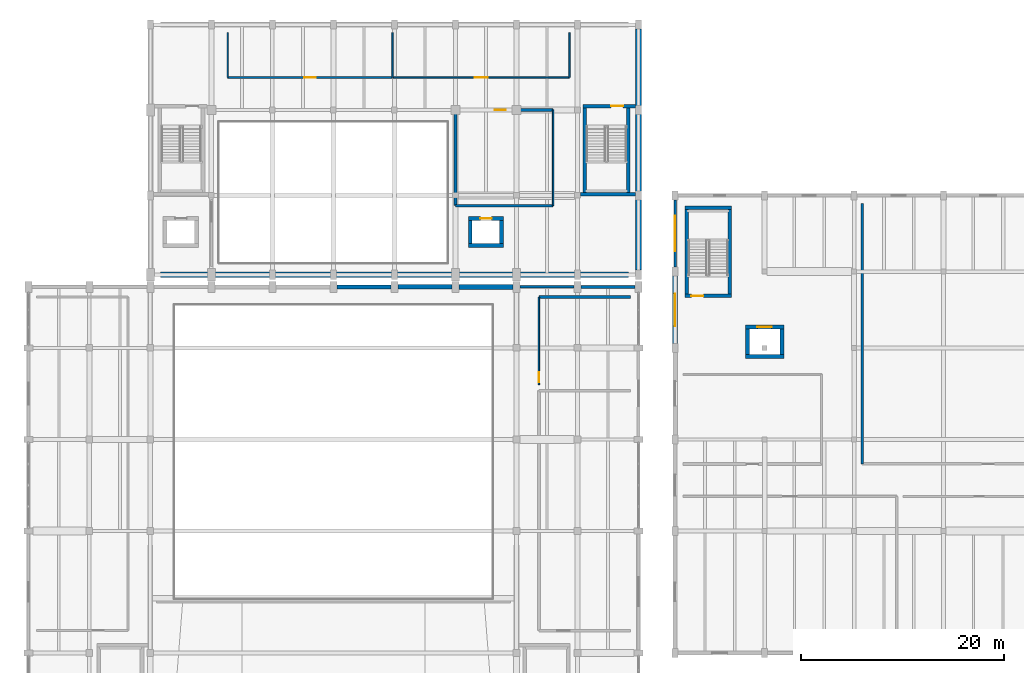
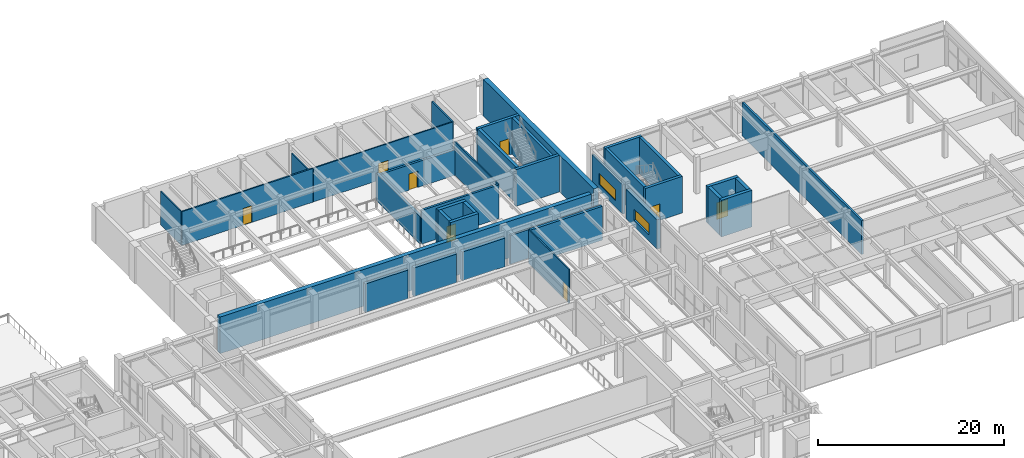
# One storey, part 61 of 80: 37 walls, 8 doors, 2 windows, 10 openings.
"""IFC4 building model written with IfcOpenShell, lengths in metres."""

from ifc_helpers import new_model, si_unit, direction, frame, frame_2d, origin, place, context, subcontext, project, spatial, rectangle, extrude, material, layer, layer_set, type_object, element, fill, save


model = new_model("IFC4")

# Units and contexts
model_context = context("Model", 3, precision=1e-05, world=origin(), true_north=direction((0.0, 1.0)))
body_context = subcontext(model_context, "Body", "Model", "MODEL_VIEW")
ifc_project = project(units=[si_unit("LENGTHUNIT", "METRE"), si_unit("AREAUNIT", "SQUARE_METRE"), si_unit("VOLUMEUNIT", "CUBIC_METRE"), si_unit("PLANEANGLEUNIT", "RADIAN"), si_unit("MASSUNIT", "GRAM", prefix="KILO")], contexts=[model_context])

# Site, building, storey
site_placement = place(None, origin())
site = spatial("IfcSite", under=ifc_project, at=site_placement, CompositionType="ELEMENT")
building_placement = place(site_placement, origin())
building = spatial("IfcBuilding", under=site, at=building_placement, Name="Vaelkrest Opera House", CompositionType="ELEMENT")
storey_placement = place(building_placement, frame((0.0, 0.0, 15.0)))
storey = spatial("IfcBuildingStorey", under=building, at=storey_placement, Name="L03", CompositionType="ELEMENT", Elevation=15.0)

# Wall
ifc_material_1 = material(Name="Douglas fir glulam GL28h", Category="wood")
ifc_layer_1 = layer(ifc_material_1, 0.2548828125)
ifc_layer_set_1 = layer_set([ifc_layer_1], Name="Douglas fir glulam GL28h")
wall_type_1 = type_object("IfcWallType", Name="EW01", PredefinedType="STANDARD", material=ifc_layer_set_1)
wall_1_placement = place(storey_placement, frame((18.347900390625, 16.199951171875, 0.0), z_axis=(0.0, 0.0, 1.0), x_axis=(1.0, 0.0, 0.0)))
element("IfcWall", 1, at=wall_1_placement, inside=storey, type_object=wall_type_1, Name="Exterior facade wall EW-V1-L03-0091", PredefinedType="STANDARD", context=body_context, shape_type="SweptSolid", body=[
    extrude(rectangle(XDim=5.30419921875, YDim=0.2548828125, at=frame_2d((2.652099609375, 0.0))), origin(), (0.0, 0.0, 1.0), 3.7451171875),
])

# Wall, opening, window
wall_2_placement = place(storey_placement, frame((33.60009765625, 18.14794921875, 0.0), z_axis=(0.0, 0.0, 1.0), x_axis=(0.0, 1.0, 0.0)))
wall_2 = element("IfcWall", 2, at=wall_2_placement, inside=storey, type_object=wall_type_1, Name="Exterior facade wall EW-V4-L03-0271", PredefinedType="STANDARD", context=body_context, shape_type="SweptSolid", body=[
    extrude(rectangle(XDim=6.60400390625, YDim=0.2548828125, at=frame_2d((3.302001953125, 0.0))), origin(), (0.0, 0.0, 1.0), 3.8291015625),
])
opening_1_placement = place(wall_2_placement, frame((1.552001953125, 0.0, 0.85009765625)))
opening_1 = element("IfcOpeningElement", 3, at=opening_1_placement, cuts=wall_2, Name="Opening WN156", PredefinedType="OPENING", context=body_context, shape_type="SweptSolid", body=[
    extrude(rectangle(XDim=3.5, YDim=1.449951171875, at=frame_2d((1.75, 0.72509765625))), frame((0.0, 0.137451171875, 0.0), z_axis=(0.0, -1.0, 0.0), x_axis=(1.0, 0.0, 0.0)), (0.0, 0.0, 1.0), 0.27490234375),
])
ifc_material_2 = material(Name="Double low-E insulated glazing", Category="glass")
window_type_1 = type_object("IfcWindowType", Name="WT26", PartitioningType="SINGLE_PANEL", PredefinedType="WINDOW", material=ifc_material_2)
window_1_placement = place(opening_1_placement, origin())
window_1 = element("IfcWindow", 4, at=window_1_placement, inside=storey, type_object=window_type_1, Name="Facade window WN156", OverallHeight=1.449951171875, OverallWidth=3.5, PartitioningType="SINGLE_PANEL", PredefinedType="WINDOW", context=body_context, shape_type="SweptSolid", body=[
    extrude(rectangle(XDim=3.5, YDim=1.449951171875, at=frame_2d((1.75, 0.72509765625))), frame((0.0, 0.030029296875, 0.0), z_axis=(0.0, -1.0, 0.0), x_axis=(1.0, 0.0, 0.0)), (0.0, 0.0, 1.0), 0.06005859375),
])
fill(opening_1, window_1)

# Walls
ifc_layer_2 = layer(ifc_material_1, 0.27490234375)
ifc_layer_set_2 = layer_set([ifc_layer_2], Name="Douglas fir glulam GL28h")
wall_type_2 = type_object("IfcWallType", Name="EW02", PredefinedType="STANDARD", material=ifc_layer_set_2)
wall_3_placement = place(storey_placement, frame((24.347900390625, 16.199951171875, 0.0), z_axis=(0.0, 0.0, 1.0), x_axis=(1.0, 0.0, 0.0)))
element("IfcWall", 5, at=wall_3_placement, inside=storey, type_object=wall_type_2, Name="Exterior facade wall EW-V1-L03-0092", PredefinedType="STANDARD", context=body_context, shape_type="SweptSolid", body=[
    extrude(rectangle(XDim=5.30419921875, YDim=0.27490234375, at=frame_2d((2.652099609375, 0.0))), origin(), (0.0, 0.0, 1.0), 3.7451171875),
])
ifc_material_3 = material(Name="Concrete C40/50", Category="concrete")
ifc_layer_3 = layer(ifc_material_3, 0.409912109375)
ifc_layer_set_3 = layer_set([ifc_layer_3], Name="Concrete C40/50")
wall_type_3 = type_object("IfcWallType", Name="EW08", PredefinedType="STANDARD", material=ifc_layer_set_3)
wall_4_placement = place(storey_placement, frame((0.347900390625, 16.199951171875, 0.0), z_axis=(0.0, 0.0, 1.0), x_axis=(1.0, 0.0, 0.0)))
element("IfcWall", 6, at=wall_4_placement, inside=storey, type_object=wall_type_3, Name="Exterior facade wall EW-V1-L03-0088", PredefinedType="STANDARD", context=body_context, shape_type="SweptSolid", body=[
    extrude(rectangle(XDim=5.30419921875, YDim=0.409912109375, at=frame_2d((2.652099609375, 0.0))), origin(), (0.0, 0.0, 1.0), 3.7451171875),
])
ifc_layer_4 = layer(ifc_material_3, 0.43505859375)
ifc_layer_set_4 = layer_set([ifc_layer_4], Name="Concrete C40/50")
wall_type_4 = type_object("IfcWallType", Name="EW09", PredefinedType="STANDARD", material=ifc_layer_set_4)
wall_5_placement = place(storey_placement, frame((6.347900390625, 16.199951171875, 0.0), z_axis=(0.0, 0.0, 1.0), x_axis=(1.0, 0.0, 0.0)))
element("IfcWall", 7, at=wall_5_placement, inside=storey, type_object=wall_type_4, Name="Exterior facade wall EW-V1-L03-0089", PredefinedType="STANDARD", context=body_context, shape_type="SweptSolid", body=[
    extrude(rectangle(XDim=5.30419921875, YDim=0.43505859375, at=frame_2d((2.652099609375, 0.0))), origin(), (0.0, 0.0, 1.0), 3.7451171875),
])
ifc_layer_5 = layer(ifc_material_3, 0.465087890625)
ifc_layer_set_5 = layer_set([ifc_layer_5], Name="Concrete C40/50")
wall_type_5 = type_object("IfcWallType", Name="EW10", PredefinedType="STANDARD", material=ifc_layer_set_5)
wall_6_placement = place(storey_placement, frame((12.347900390625, 16.199951171875, 0.0), z_axis=(0.0, 0.0, 1.0), x_axis=(1.0, 0.0, 0.0)))
element("IfcWall", 8, at=wall_6_placement, inside=storey, type_object=wall_type_5, Name="Exterior facade wall EW-V1-L03-0090", PredefinedType="STANDARD", context=body_context, shape_type="SweptSolid", body=[
    extrude(rectangle(XDim=5.30419921875, YDim=0.465087890625, at=frame_2d((2.652099609375, 0.0))), origin(), (0.0, 0.0, 1.0), 3.7451171875),
])

# Wall, opening, window
wall_7_placement = place(storey_placement, frame((33.60009765625, 10.64794921875, 0.0), z_axis=(0.0, 0.0, 1.0), x_axis=(0.0, 1.0, 0.0)))
wall_7 = element("IfcWall", 9, at=wall_7_placement, inside=storey, type_object=wall_type_5, Name="Exterior facade wall EW-V4-L03-0270", PredefinedType="STANDARD", context=body_context, shape_type="SweptSolid", body=[
    extrude(rectangle(XDim=6.60400390625, YDim=0.465087890625, at=frame_2d((3.302001953125, 0.0))), origin(), (0.0, 0.0, 1.0), 3.8291015625),
])
opening_2_placement = place(wall_7_placement, frame((1.701904296875, 0.0, 0.85009765625)))
opening_2 = element("IfcOpeningElement", 10, at=opening_2_placement, cuts=wall_7, Name="Opening WN155", PredefinedType="OPENING", context=body_context, shape_type="SweptSolid", body=[
    extrude(rectangle(XDim=3.199951171875, YDim=1.449951171875, at=frame_2d((1.60009765625, 0.72509765625))), frame((0.0, 0.242431640625, 0.0), z_axis=(0.0, -1.0, 0.0), x_axis=(1.0, 0.0, 0.0)), (0.0, 0.0, 1.0), 0.485107421875),
])
window_type_2 = type_object("IfcWindowType", Name="WT25", PartitioningType="SINGLE_PANEL", PredefinedType="WINDOW", material=ifc_material_2)
window_2_placement = place(opening_2_placement, origin())
window_2 = element("IfcWindow", 11, at=window_2_placement, inside=storey, type_object=window_type_2, Name="Facade window WN155", OverallHeight=1.449951171875, OverallWidth=3.199951171875, PartitioningType="SINGLE_PANEL", PredefinedType="WINDOW", context=body_context, shape_type="SweptSolid", body=[
    extrude(rectangle(XDim=3.199951171875, YDim=1.449951171875, at=frame_2d((1.60009765625, 0.72509765625))), frame((0.0, 0.030029296875, 0.0), z_axis=(0.0, -1.0, 0.0), x_axis=(1.0, 0.0, 0.0)), (0.0, 0.0, 1.0), 0.06005859375),
])
fill(opening_2, window_2)

# Walls
ifc_material_4 = material(Name="Gypsum acoustic board", Category="gypsum")
ifc_layer_6 = layer(ifc_material_4, 0.1201171875)
ifc_layer_set_6 = layer_set([ifc_layer_6], Name="Gypsum acoustic board")
wall_type_6 = type_object("IfcWallType", Name="PT01", PredefinedType="PARTITIONING", material=ifc_layer_set_6)
wall_8_placement = place(storey_placement, frame((-10.39990234375, 36.800048828125, 0.0), z_axis=(0.0, 0.0, 1.0), x_axis=(0.0, 1.0, 0.0)))
element("IfcWall", 12, at=wall_8_placement, inside=storey, type_object=wall_type_6, Name="Interior partition PT-V2-L03-0211", PredefinedType="PARTITIONING", context=body_context, shape_type="SweptSolid", body=[
    extrude(rectangle(XDim=4.39990234375, YDim=0.1201171875, at=frame_2d((2.199951171875, 0.0))), origin(), (0.0, 0.0, 1.0), 4.419921875),
])
ifc_layer_7 = layer(ifc_material_4, 0.135009765625)
ifc_layer_set_7 = layer_set([ifc_layer_7], Name="Gypsum acoustic board")
wall_type_7 = type_object("IfcWallType", Name="PT02", PredefinedType="PARTITIONING", material=ifc_layer_set_7)
wall_9_placement = place(storey_placement, frame((5.800048828125, 36.800048828125, 0.0), z_axis=(0.0, 0.0, 1.0), x_axis=(0.0, 1.0, 0.0)))
element("IfcWall", 13, at=wall_9_placement, inside=storey, type_object=wall_type_7, Name="Interior partition PT-V2-L03-0212", PredefinedType="PARTITIONING", context=body_context, shape_type="SweptSolid", body=[
    extrude(rectangle(XDim=4.39990234375, YDim=0.135009765625, at=frame_2d((2.199951171875, 0.0))), origin(), (0.0, 0.0, 1.0), 3.73388671875),
])

# Wall, opening, door
ifc_layer_8 = layer(ifc_material_4, 0.14990234375)
ifc_layer_set_8 = layer_set([ifc_layer_8], Name="Gypsum acoustic board")
wall_type_8 = type_object("IfcWallType", Name="PT03", PredefinedType="PARTITIONING", material=ifc_layer_set_8)
wall_10_placement = place(storey_placement, frame((5.8798828125, 36.800048828125, 0.0), z_axis=(0.0, 0.0, 1.0), x_axis=(1.0, 0.0, 0.0)))
wall_10 = element("IfcWall", 14, at=wall_10_placement, inside=storey, type_object=wall_type_8, Name="Interior partition PT-V2-L03-0213", PredefinedType="PARTITIONING", context=body_context, shape_type="SweptSolid", body=[
    extrude(rectangle(XDim=17.320068359375, YDim=0.14990234375, at=frame_2d((8.66015625, 0.0))), origin(), (0.0, 0.0, 1.0), 4.419921875),
])
opening_3_placement = place(wall_10_placement, frame((8.0400390625, 0.0, 0.0)))
opening_3 = element("IfcOpeningElement", 15, at=opening_3_placement, cuts=wall_10, Name="Opening D082", PredefinedType="OPENING", context=body_context, shape_type="SweptSolid", body=[
    extrude(rectangle(XDim=1.239990234375, YDim=2.199951171875, at=frame_2d((0.6201171875, 1.10009765625))), frame((0.0, 0.0849609375, 0.0), z_axis=(0.0, -1.0, 0.0), x_axis=(1.0, 0.0, 0.0)), (0.0, 0.0, 1.0), 0.169921875),
])
ifc_material_5 = material(Name="American black walnut acoustic timber", Category="wood")
door_type_1 = type_object("IfcDoorType", Name="DT08", OperationType="NOTDEFINED", PredefinedType="DOOR", material=ifc_material_5)
door_1_placement = place(opening_3_placement, origin())
door_1 = element("IfcDoor", 16, at=door_1_placement, inside=storey, type_object=door_type_1, Name="Interior door D082 (Lighting Control Booth)", OperationType="SINGLE_SWING_LEFT", OverallHeight=2.199951171875, OverallWidth=1.239990234375, PredefinedType="DOOR", context=body_context, shape_type="SweptSolid", body=[
    extrude(rectangle(XDim=1.239990234375, YDim=2.199951171875, at=frame_2d((0.6201171875, 1.10009765625))), frame((0.0, 0.02490234375, 0.0), z_axis=(0.0, -1.0, 0.0), x_axis=(1.0, 0.0, 0.0)), (0.0, 0.0, 1.0), 0.050048828125),
])
fill(opening_3, door_1)

# Walls
ifc_layer_9 = layer(ifc_material_4, 0.1650390625)
ifc_layer_set_9 = layer_set([ifc_layer_9], Name="Gypsum acoustic board")
wall_type_9 = type_object("IfcWallType", Name="PT04", PredefinedType="PARTITIONING", material=ifc_layer_set_9)
wall_11_placement = place(storey_placement, frame((23.199951171875, 36.800048828125, 0.0), z_axis=(0.0, 0.0, 1.0), x_axis=(0.0, 1.0, 0.0)))
element("IfcWall", 17, at=wall_11_placement, inside=storey, type_object=wall_type_9, Name="Interior partition PT-V2-L03-0214", PredefinedType="PARTITIONING", context=body_context, shape_type="SweptSolid", body=[
    extrude(rectangle(XDim=4.39990234375, YDim=0.1650390625, at=frame_2d((2.199951171875, 0.0))), origin(), (0.0, 0.0, 1.0), 4.419921875),
])
ifc_layer_10 = layer(ifc_material_3, 0.239990234375)
ifc_layer_set_10 = layer_set([ifc_layer_10], Name="Concrete C40/50")
wall_type_10 = type_object("IfcWallType", Name="PT09", PredefinedType="PARTITIONING", material=ifc_layer_set_10)
wall_12_placement = place(storey_placement, frame((52.0, -1.199951171875, 0.0), z_axis=(0.0, 0.0, 1.0), x_axis=(0.0, 1.0, 0.0)))
element("IfcWall", 18, at=wall_12_placement, inside=storey, type_object=wall_type_10, Name="Interior partition PT-V4-L03-0389", PredefinedType="PARTITIONING", context=body_context, shape_type="SweptSolid", body=[
    extrude(rectangle(XDim=25.599853515625, YDim=0.239990234375, at=frame_2d((12.7998046875, 0.0))), origin(), (0.0, 0.0, 1.0), 4.419921875),
])
ifc_layer_11 = layer(ifc_material_3, 0.260009765625)
ifc_layer_set_11 = layer_set([ifc_layer_11], Name="Concrete C40/50")
wall_type_11 = type_object("IfcWallType", Name="PT10", PredefinedType="PARTITIONING", material=ifc_layer_set_11)
wall_13_placement = place(storey_placement, frame((12.0, 24.199951171875, 0.0), z_axis=(0.0, 0.0, 1.0), x_axis=(1.0, 0.0, 0.0)))
element("IfcWall", 19, at=wall_13_placement, inside=storey, type_object=wall_type_11, Name="Interior partition PT-V2-L03-0206", PredefinedType="PARTITIONING", context=body_context, shape_type="SweptSolid", body=[
    extrude(rectangle(XDim=9.60009765625, YDim=0.260009765625, at=frame_2d((4.800048828125, 0.0))), origin(), (0.0, 0.0, 1.0), 4.419921875),
])

# Wall, opening, door
ifc_layer_12 = layer(ifc_material_3, 0.280029296875)
ifc_layer_set_12 = layer_set([ifc_layer_12], Name="Concrete C40/50")
wall_type_12 = type_object("IfcWallType", Name="PT11", PredefinedType="PARTITIONING", material=ifc_layer_set_12)
wall_14_placement = place(storey_placement, frame((12.0, 33.60009765625, 0.0), z_axis=(0.0, 0.0, 1.0), x_axis=(1.0, 0.0, 0.0)))
wall_14 = element("IfcWall", 20, at=wall_14_placement, inside=storey, type_object=wall_type_12, Name="Interior partition PT-V2-L03-0207", PredefinedType="PARTITIONING", context=body_context, shape_type="SweptSolid", body=[
    extrude(rectangle(XDim=9.60009765625, YDim=0.280029296875, at=frame_2d((4.800048828125, 0.0))), origin(), (0.0, 0.0, 1.0), 3.340087890625),
])
opening_4_placement = place(wall_14_placement, frame((3.8701171875, 0.0, 0.0)))
opening_4 = element("IfcOpeningElement", 21, at=opening_4_placement, cuts=wall_14, Name="Opening D080", PredefinedType="OPENING", context=body_context, shape_type="SweptSolid", body=[
    extrude(rectangle(XDim=1.06005859375, YDim=2.14990234375, at=frame_2d((0.530029296875, 1.074951171875))), frame((0.0, 0.14990234375, 0.0), z_axis=(0.0, -1.0, 0.0), x_axis=(1.0, 0.0, 0.0)), (0.0, 0.0, 1.0), 0.300048828125),
])
door_type_2 = type_object("IfcDoorType", Name="DT05", OperationType="NOTDEFINED", PredefinedType="DOOR", material=ifc_material_5)
door_2_placement = place(opening_4_placement, origin())
door_2 = element("IfcDoor", 22, at=door_2_placement, inside=storey, type_object=door_type_2, Name="Interior door D080 (Lighting Bridge)", OperationType="SINGLE_SWING_LEFT", OverallHeight=2.14990234375, OverallWidth=1.06005859375, PredefinedType="DOOR", context=body_context, shape_type="SweptSolid", body=[
    extrude(rectangle(XDim=1.06005859375, YDim=2.14990234375, at=frame_2d((0.530029296875, 1.074951171875))), frame((0.0, 0.02490234375, 0.0), z_axis=(0.0, -1.0, 0.0), x_axis=(1.0, 0.0, 0.0)), (0.0, 0.0, 1.0), 0.050048828125),
])
fill(opening_4, door_2)

# Walls
ifc_layer_13 = layer(ifc_material_3, 0.304931640625)
ifc_layer_set_13 = layer_set([ifc_layer_13], Name="Concrete C40/50")
wall_type_13 = type_object("IfcWallType", Name="PT12", PredefinedType="PARTITIONING", material=ifc_layer_set_13)
wall_15_placement = place(storey_placement, frame((20.199951171875, 15.199951171875, 0.0), z_axis=(0.0, 0.0, 1.0), x_axis=(1.0, 0.0, 0.0)))
element("IfcWall", 23, at=wall_15_placement, inside=storey, type_object=wall_type_13, Name="Interior partition PT-V1-L03-0096", PredefinedType="PARTITIONING", context=body_context, shape_type="SweptSolid", body=[
    extrude(rectangle(XDim=9.0, YDim=0.304931640625, at=frame_2d((4.5, 0.0))), origin(), (0.0, 0.0, 1.0), 4.419921875),
])
wall_16_placement = place(storey_placement, frame((12.0, 24.199951171875, 0.0), z_axis=(0.0, 0.0, 1.0), x_axis=(0.0, 1.0, 0.0)))
element("IfcWall", 24, at=wall_16_placement, inside=storey, type_object=wall_type_13, Name="Interior partition PT-V2-L03-0208", PredefinedType="PARTITIONING", context=body_context, shape_type="SweptSolid", body=[
    extrude(rectangle(XDim=9.400146484375, YDim=0.304931640625, at=frame_2d((4.7001953125, 0.0))), origin(), (0.0, 0.0, 1.0), 3.590087890625),
])

# Wall, opening, door
ifc_layer_14 = layer(ifc_material_4, 0.14501953125)
ifc_layer_set_14 = layer_set([ifc_layer_14], Name="Gypsum acoustic board")
wall_type_14 = type_object("IfcWallType", Name="PT13", PredefinedType="PARTITIONING", material=ifc_layer_set_14)
wall_17_placement = place(storey_placement, frame((20.199951171875, 6.60009765625, 0.0), z_axis=(0.0, 0.0, 1.0), x_axis=(0.0, 1.0, 0.0)))
wall_17 = element("IfcWall", 25, at=wall_17_placement, inside=storey, type_object=wall_type_14, Name="Interior partition PT-V1-L03-0097", PredefinedType="PARTITIONING", context=body_context, shape_type="SweptSolid", body=[
    extrude(rectangle(XDim=8.599853515625, YDim=0.14501953125, at=frame_2d((4.2998046875, 0.0))), origin(), (0.0, 0.0, 1.0), 4.419921875),
])
opening_5_placement = place(wall_17_placement, frame((0.25, 0.0, 0.0)))
opening_5 = element("IfcOpeningElement", 26, at=opening_5_placement, cuts=wall_17, Name="Opening D038", PredefinedType="OPENING", context=body_context, shape_type="SweptSolid", body=[
    extrude(rectangle(XDim=0.93994140625, YDim=2.10009765625, at=frame_2d((0.469970703125, 1.050048828125))), frame((0.0, 0.08251953125, 0.0), z_axis=(0.0, -1.0, 0.0), x_axis=(1.0, 0.0, 0.0)), (0.0, 0.0, 1.0), 0.1650390625),
])
door_type_3 = type_object("IfcDoorType", Name="DT02", OperationType="NOTDEFINED", PredefinedType="DOOR", material=ifc_material_5)
door_3_placement = place(opening_5_placement, origin())
door_3 = element("IfcDoor", 27, at=door_3_placement, inside=storey, type_object=door_type_3, Name="Interior door D038 (Accessible Washroom)", OperationType="SINGLE_SWING_LEFT", OverallHeight=2.10009765625, OverallWidth=0.93994140625, PredefinedType="DOOR", context=body_context, shape_type="SweptSolid", body=[
    extrude(rectangle(XDim=0.93994140625, YDim=2.10009765625, at=frame_2d((0.469970703125, 1.050048828125))), frame((0.0, 0.02490234375, 0.0), z_axis=(0.0, -1.0, 0.0), x_axis=(1.0, 0.0, 0.0)), (0.0, 0.0, 1.0), 0.050048828125),
])
fill(opening_5, door_3)

# Wall
wall_18_placement = place(storey_placement, frame((21.60009765625, 24.199951171875, 0.0), z_axis=(0.0, 0.0, 1.0), x_axis=(0.0, 1.0, 0.0)))
element("IfcWall", 28, at=wall_18_placement, inside=storey, type_object=wall_type_14, Name="Interior partition PT-V2-L03-0209", PredefinedType="PARTITIONING", context=body_context, shape_type="SweptSolid", body=[
    extrude(rectangle(XDim=9.400146484375, YDim=0.14501953125, at=frame_2d((4.7001953125, 0.0))), origin(), (0.0, 0.0, 1.0), 4.419921875),
])

# Wall, opening, door
ifc_layer_15 = layer(ifc_material_5, 0.175048828125)
ifc_layer_set_15 = layer_set([ifc_layer_15], Name="American black walnut acoustic timber")
wall_type_15 = type_object("IfcWallType", Name="PT14", PredefinedType="PARTITIONING", material=ifc_layer_set_15)
wall_19_placement = place(storey_placement, frame((-10.39990234375, 36.800048828125, 0.0), z_axis=(0.0, 0.0, 1.0), x_axis=(1.0, 0.0, 0.0)))
wall_19 = element("IfcWall", 29, at=wall_19_placement, inside=storey, type_object=wall_type_15, Name="Interior partition PT-V2-L03-0210", PredefinedType="PARTITIONING", context=body_context, shape_type="SweptSolid", body=[
    extrude(rectangle(XDim=16.199951171875, YDim=0.175048828125, at=frame_2d((8.10009765625, 0.0))), origin(), (0.0, 0.0, 1.0), 4.419921875),
])
opening_6_placement = place(wall_19_placement, frame((7.550048828125, 0.0, 0.0)))
opening_6 = element("IfcOpeningElement", 30, at=opening_6_placement, cuts=wall_19, Name="Opening D081", PredefinedType="OPENING", context=body_context, shape_type="SweptSolid", body=[
    extrude(rectangle(XDim=1.10009765625, YDim=2.199951171875, at=frame_2d((0.550048828125, 1.10009765625))), frame((0.0, 0.097412109375, 0.0), z_axis=(0.0, -1.0, 0.0), x_axis=(1.0, 0.0, 0.0)), (0.0, 0.0, 1.0), 0.195068359375),
])
door_type_4 = type_object("IfcDoorType", Name="DT06", OperationType="NOTDEFINED", PredefinedType="DOOR", material=ifc_material_5)
door_4_placement = place(opening_6_placement, origin())
door_4 = element("IfcDoor", 31, at=door_4_placement, inside=storey, type_object=door_type_4, Name="Interior door D081 (Rigging Control Room)", OperationType="SINGLE_SWING_RIGHT", OverallHeight=2.199951171875, OverallWidth=1.10009765625, PredefinedType="DOOR", context=body_context, shape_type="SweptSolid", body=[
    extrude(rectangle(XDim=1.10009765625, YDim=2.199951171875, at=frame_2d((0.550048828125, 1.10009765625))), frame((0.0, 0.02490234375, 0.0), z_axis=(0.0, -1.0, 0.0), x_axis=(1.0, 0.0, 0.0)), (0.0, 0.0, 1.0), 0.050048828125),
])
fill(opening_6, door_4)

# Walls
ifc_material_6 = material(Name="Concrete C50/60", Category="concrete")
ifc_layer_16 = layer(ifc_material_6, 0.35009765625)
ifc_layer_set_16 = layer_set([ifc_layer_16], Name="Concrete C50/60")
wall_type_16 = type_object("IfcWallType", Name="SW01", PredefinedType="SHEAR", material=ifc_layer_set_16)
wall_20_placement = place(storey_placement, frame((29.699951171875, 25.324951171875, 0.0), z_axis=(0.0, 0.0, 1.0), x_axis=(-1.0, 0.0, 0.0)))
element("IfcWall", 32, at=wall_20_placement, inside=storey, type_object=wall_type_16, Name="Stair core ST06 wall L03 S", PredefinedType="SHEAR", context=body_context, shape_type="SweptSolid", body=[
    extrude(rectangle(XDim=5.425048828125, YDim=0.35009765625, at=frame_2d((2.71240234375, 0.0))), origin(), (0.0, 0.0, 1.0), 4.800048828125),
])
wall_21_placement = place(storey_placement, frame((24.72509765625, 25.5, 0.0), z_axis=(0.0, 0.0, 1.0), x_axis=(0.0, 1.0, 0.0)))
element("IfcWall", 33, at=wall_21_placement, inside=storey, type_object=wall_type_16, Name="Stair core ST06 wall L03 W", PredefinedType="SHEAR", context=body_context, shape_type="SweptSolid", body=[
    extrude(rectangle(XDim=8.300048828125, YDim=0.35009765625, at=frame_2d((4.14990234375, 0.0))), origin(), (0.0, 0.0, 1.0), 4.800048828125),
])

# Wall, opening, door
wall_22_placement = place(storey_placement, frame((24.550048828125, 33.97509765625, 0.0), z_axis=(0.0, 0.0, 1.0), x_axis=(1.0, 0.0, 0.0)))
wall_22 = element("IfcWall", 34, at=wall_22_placement, inside=storey, type_object=wall_type_16, Name="Stair core ST06 wall L03 N", PredefinedType="SHEAR", context=body_context, shape_type="SweptSolid", body=[
    extrude(rectangle(XDim=5.14990234375, YDim=0.35009765625, at=frame_2d((2.574951171875, 0.0))), origin(), (0.0, 0.0, 1.0), 4.800048828125),
])
opening_7_placement = place(wall_22_placement, frame((2.77001953125, 0.0, 0.0)))
opening_7 = element("IfcOpeningElement", 35, at=opening_7_placement, cuts=wall_22, Name="Opening SD-ST06-L03", PredefinedType="OPENING", context=body_context, shape_type="SweptSolid", body=[
    extrude(rectangle(XDim=1.179931640625, YDim=2.14990234375, at=frame_2d((0.58984375, 1.074951171875))), frame((0.0, 0.18505859375, 0.0), z_axis=(0.0, -1.0, 0.0), x_axis=(1.0, 0.0, 0.0)), (0.0, 0.0, 1.0), 0.3701171875),
])
door_type_5 = type_object("IfcDoorType", Name="DT07", OperationType="NOTDEFINED", PredefinedType="DOOR", material=ifc_material_5)
door_5_placement = place(opening_7_placement, origin())
door_5 = element("IfcDoor", 36, at=door_5_placement, inside=storey, type_object=door_type_5, Name="Protected stair door SD-ST06-L03", OperationType="SINGLE_SWING_LEFT", OverallHeight=2.14990234375, OverallWidth=1.179931640625, PredefinedType="DOOR", context=body_context, shape_type="SweptSolid", body=[
    extrude(rectangle(XDim=1.179931640625, YDim=2.14990234375, at=frame_2d((0.58984375, 1.074951171875))), frame((0.0, 0.02490234375, 0.0), z_axis=(0.0, -1.0, 0.0), x_axis=(1.0, 0.0, 0.0)), (0.0, 0.0, 1.0), 0.050048828125),
])
fill(opening_7, door_5)

# Wall
wall_23_placement = place(storey_placement, frame((28.97509765625, 33.800048828125, 0.0), z_axis=(0.0, 0.0, 1.0), x_axis=(0.0, -1.0, 0.0)))
element("IfcWall", 37, at=wall_23_placement, inside=storey, type_object=wall_type_16, Name="Stair core ST06 wall L03 E", PredefinedType="SHEAR", context=body_context, shape_type="SweptSolid", body=[
    extrude(rectangle(XDim=8.300048828125, YDim=0.35009765625, at=frame_2d((4.14990234375, 0.0))), origin(), (0.0, 0.0, 1.0), 4.800048828125),
])

# Wall, opening, door
wall_24_placement = place(storey_placement, frame((39.14990234375, 15.324951171875, 0.0), z_axis=(0.0, 0.0, 1.0), x_axis=(-1.0, 0.0, 0.0)))
wall_24 = element("IfcWall", 38, at=wall_24_placement, inside=storey, type_object=wall_type_16, Name="Stair core ST09 wall L03 S", PredefinedType="SHEAR", context=body_context, shape_type="SweptSolid", body=[
    extrude(rectangle(XDim=4.599853515625, YDim=0.35009765625, at=frame_2d((2.2998046875, 0.0))), origin(), (0.0, 0.0, 1.0), 4.800048828125),
])
opening_8_placement = place(wall_24_placement, frame((2.77001953125, 0.0, 0.0)))
opening_8 = element("IfcOpeningElement", 39, at=opening_8_placement, cuts=wall_24, Name="Opening SD-ST09-L03", PredefinedType="OPENING", context=body_context, shape_type="SweptSolid", body=[
    extrude(rectangle(XDim=1.179931640625, YDim=2.14990234375, at=frame_2d((0.58984375, 1.074951171875))), frame((0.0, 0.18505859375, 0.0), z_axis=(0.0, -1.0, 0.0), x_axis=(1.0, 0.0, 0.0)), (0.0, 0.0, 1.0), 0.3701171875),
])
door_6_placement = place(opening_8_placement, origin())
door_6 = element("IfcDoor", 40, at=door_6_placement, inside=storey, type_object=door_type_5, Name="Protected stair door SD-ST09-L03", OperationType="SINGLE_SWING_RIGHT", OverallHeight=2.14990234375, OverallWidth=1.179931640625, PredefinedType="DOOR", context=body_context, shape_type="SweptSolid", body=[
    extrude(rectangle(XDim=1.179931640625, YDim=2.14990234375, at=frame_2d((0.58984375, 1.074951171875))), frame((0.0, 0.02490234375, 0.0), z_axis=(0.0, -1.0, 0.0), x_axis=(1.0, 0.0, 0.0)), (0.0, 0.0, 1.0), 0.050048828125),
])
fill(opening_8, door_6)

# Walls
wall_25_placement = place(storey_placement, frame((34.72509765625, 15.5, 0.0), z_axis=(0.0, 0.0, 1.0), x_axis=(0.0, 1.0, 0.0)))
element("IfcWall", 41, at=wall_25_placement, inside=storey, type_object=wall_type_16, Name="Stair core ST09 wall L03 W", PredefinedType="SHEAR", context=body_context, shape_type="SweptSolid", body=[
    extrude(rectangle(XDim=8.300048828125, YDim=0.35009765625, at=frame_2d((4.14990234375, 0.0))), origin(), (0.0, 0.0, 1.0), 4.800048828125),
])
wall_26_placement = place(storey_placement, frame((34.550048828125, 23.97509765625, 0.0), z_axis=(0.0, 0.0, 1.0), x_axis=(1.0, 0.0, 0.0)))
element("IfcWall", 42, at=wall_26_placement, inside=storey, type_object=wall_type_16, Name="Stair core ST09 wall L03 N", PredefinedType="SHEAR", context=body_context, shape_type="SweptSolid", body=[
    extrude(rectangle(XDim=4.599853515625, YDim=0.35009765625, at=frame_2d((2.2998046875, 0.0))), origin(), (0.0, 0.0, 1.0), 4.800048828125),
])
wall_27_placement = place(storey_placement, frame((38.97509765625, 23.800048828125, 0.0), z_axis=(0.0, 0.0, 1.0), x_axis=(0.0, -1.0, 0.0)))
element("IfcWall", 43, at=wall_27_placement, inside=storey, type_object=wall_type_16, Name="Stair core ST09 wall L03 E", PredefinedType="SHEAR", context=body_context, shape_type="SweptSolid", body=[
    extrude(rectangle(XDim=8.300048828125, YDim=0.35009765625, at=frame_2d((4.14990234375, 0.0))), origin(), (0.0, 0.0, 1.0), 4.800048828125),
])
ifc_layer_17 = layer(ifc_material_6, 0.389892578125)
ifc_layer_set_17 = layer_set([ifc_layer_17], Name="Concrete C50/60")
wall_type_17 = type_object("IfcWallType", Name="SW02", PredefinedType="SHEAR", material=ifc_layer_set_17)
wall_28_placement = place(storey_placement, frame((16.739990234375, 20.2548828125, 0.0), z_axis=(0.0, 0.0, 1.0), x_axis=(-1.0, 0.0, 0.0)))
element("IfcWall", 44, at=wall_28_placement, inside=storey, type_object=wall_type_17, Name="Lift shaft LF02 wall L03 S", PredefinedType="SHEAR", context=body_context, shape_type="SweptSolid", body=[
    extrude(rectangle(XDim=3.47998046875, YDim=0.389892578125, at=frame_2d((1.739990234375, 0.0))), origin(), (0.0, 0.0, 1.0), 4.800048828125),
])

# Wall, opening, door
wall_29_placement = place(storey_placement, frame((13.260009765625, 22.945068359375, 0.0), z_axis=(0.0, 0.0, 1.0), x_axis=(1.0, 0.0, 0.0)))
wall_29 = element("IfcWall", 45, at=wall_29_placement, inside=storey, type_object=wall_type_17, Name="Lift shaft LF02 wall L03 N", PredefinedType="SHEAR", context=body_context, shape_type="SweptSolid", body=[
    extrude(rectangle(XDim=3.47998046875, YDim=0.389892578125, at=frame_2d((1.739990234375, 0.0))), origin(), (0.0, 0.0, 1.0), 4.800048828125),
])
opening_9_placement = place(wall_29_placement, frame((1.18994140625, 0.0, 0.0)))
opening_9 = element("IfcOpeningElement", 46, at=opening_9_placement, cuts=wall_29, Name="Opening LD-LF02-L03", PredefinedType="OPENING", context=body_context, shape_type="SweptSolid", body=[
    extrude(rectangle(XDim=1.10009765625, YDim=2.14990234375, at=frame_2d((0.550048828125, 1.074951171875))), frame((0.0, 0.204833984375, 0.0), z_axis=(0.0, -1.0, 0.0), x_axis=(1.0, 0.0, 0.0)), (0.0, 0.0, 1.0), 0.409912109375),
])
ifc_material_7 = material(Name="Dark bronze anodized aluminium", Category="aluminium")
door_type_6 = type_object("IfcDoorType", Name="LDT01", OperationType="SLIDING_TO_LEFT", PredefinedType="DOOR", material=ifc_material_7)
door_7_placement = place(opening_9_placement, origin())
door_7 = element("IfcDoor", 47, at=door_7_placement, inside=storey, type_object=door_type_6, Name="Lift landing sliding door LD-LF02-L03", OperationType="SLIDING_TO_LEFT", OverallHeight=2.14990234375, OverallWidth=1.10009765625, PredefinedType="DOOR", context=body_context, shape_type="SweptSolid", body=[
    extrude(rectangle(XDim=1.10009765625, YDim=2.14990234375, at=frame_2d((0.550048828125, 1.074951171875))), frame((0.0, 0.02490234375, 0.0), z_axis=(0.0, -1.0, 0.0), x_axis=(1.0, 0.0, 0.0)), (0.0, 0.0, 1.0), 0.050048828125),
])
fill(opening_9, door_7)

# Walls
for number, where, z_axis, x_axis, name in (
    (48, (13.455078125, 20.449951171875, 0.0), (0.0, 0.0, 1.0), (0.0, 1.0, 0.0), "Lift shaft LF02 wall L03 W"),
    (49, (16.544921875, 22.75, 0.0), (0.0, 0.0, 1.0), (0.0, -1.0, 0.0), "Lift shaft LF02 wall L03 E"),
):
    element("IfcWall", number, at=place(storey_placement, frame(where, z_axis=z_axis, x_axis=x_axis)), inside=storey, type_object=wall_type_17, Name=name, PredefinedType="SHEAR", context=body_context, shape_type="SweptSolid", body=[
        extrude(rectangle(XDim=2.300048828125, YDim=0.389892578125, at=frame_2d((1.14990234375, 0.0))), origin(), (0.0, 0.0, 1.0), 4.800048828125),
    ])
wall_30_placement = place(storey_placement, frame((44.2900390625, 9.35498046875, 0.0), z_axis=(0.0, 0.0, 1.0), x_axis=(-1.0, 0.0, 0.0)))
element("IfcWall", 50, at=wall_30_placement, inside=storey, type_object=wall_type_17, Name="Lift shaft LP06 wall L03 S", PredefinedType="SHEAR", context=body_context, shape_type="SweptSolid", body=[
    extrude(rectangle(XDim=3.780029296875, YDim=0.389892578125, at=frame_2d((1.89013671875, 0.0))), origin(), (0.0, 0.0, 1.0), 4.800048828125),
])

# Wall, opening, door
wall_31_placement = place(storey_placement, frame((40.510009765625, 12.2451171875, 0.0), z_axis=(0.0, 0.0, 1.0), x_axis=(1.0, 0.0, 0.0)))
wall_31 = element("IfcWall", 51, at=wall_31_placement, inside=storey, type_object=wall_type_17, Name="Lift shaft LP06 wall L03 N", PredefinedType="SHEAR", context=body_context, shape_type="SweptSolid", body=[
    extrude(rectangle(XDim=3.780029296875, YDim=0.389892578125, at=frame_2d((1.89013671875, 0.0))), origin(), (0.0, 0.0, 1.0), 4.800048828125),
])
opening_10_placement = place(wall_31_placement, frame((1.18994140625, 0.0, 0.0)))
opening_10 = element("IfcOpeningElement", 52, at=opening_10_placement, cuts=wall_31, Name="Opening LD-LP06-L03", PredefinedType="OPENING", context=body_context, shape_type="SweptSolid", body=[
    extrude(rectangle(XDim=1.39990234375, YDim=2.199951171875, at=frame_2d((0.699951171875, 1.10009765625))), frame((0.0, 0.204833984375, 0.0), z_axis=(0.0, -1.0, 0.0), x_axis=(1.0, 0.0, 0.0)), (0.0, 0.0, 1.0), 0.409912109375),
])
door_type_7 = type_object("IfcDoorType", Name="LDT02", OperationType="SLIDING_TO_LEFT", PredefinedType="DOOR", material=ifc_material_7)
door_8_placement = place(opening_10_placement, origin())
door_8 = element("IfcDoor", 53, at=door_8_placement, inside=storey, type_object=door_type_7, Name="Lift landing sliding door LD-LP06-L03", OperationType="SLIDING_TO_LEFT", OverallHeight=2.199951171875, OverallWidth=1.39990234375, PredefinedType="DOOR", context=body_context, shape_type="SweptSolid", body=[
    extrude(rectangle(XDim=1.39990234375, YDim=2.199951171875, at=frame_2d((0.699951171875, 1.10009765625))), frame((0.0, 0.02490234375, 0.0), z_axis=(0.0, -1.0, 0.0), x_axis=(1.0, 0.0, 0.0)), (0.0, 0.0, 1.0), 0.050048828125),
])
fill(opening_10, door_8)

# Walls
for number, where, z_axis, x_axis, name in (
    (54, (40.705078125, 9.550048828125, 0.0), (0.0, 0.0, 1.0), (0.0, 1.0, 0.0), "Lift shaft LP06 wall L03 W"),
    (55, (44.094970703125, 12.050048828125, 0.0), (0.0, 0.0, 1.0), (0.0, -1.0, 0.0), "Lift shaft LP06 wall L03 E"),
):
    element("IfcWall", number, at=place(storey_placement, frame(where, z_axis=z_axis, x_axis=x_axis)), inside=storey, type_object=wall_type_17, Name=name, PredefinedType="SHEAR", context=body_context, shape_type="SweptSolid", body=[
        extrude(rectangle(XDim=2.5, YDim=0.389892578125, at=frame_2d((1.25, 0.0))), origin(), (0.0, 0.0, 1.0), 4.800048828125),
    ])
ifc_layer_18 = layer(ifc_material_6, 0.52001953125)
ifc_layer_set_18 = layer_set([ifc_layer_18], Name="Concrete C50/60")
wall_type_18 = type_object("IfcWallType", Name="SW04", PredefinedType="SHEAR", material=ifc_layer_set_18)
wall_32_placement = place(storey_placement, frame((-17.0, 17.39990234375, 0.0), z_axis=(0.0, 0.0, 1.0), x_axis=(1.0, 0.0, 0.0)))
element("IfcWall", 56, at=wall_32_placement, inside=storey, type_object=wall_type_18, Name="Proscenium shear wall L03", PredefinedType="SHEAR", context=body_context, shape_type="SweptSolid", body=[
    extrude(rectangle(XDim=46.0, YDim=0.52001953125, at=frame_2d((23.0, 0.0))), origin(), (0.0, 0.0, 1.0), 4.800048828125),
])
ifc_layer_19 = layer(ifc_material_6, 0.580078125)
ifc_layer_set_19 = layer_set([ifc_layer_19], Name="Concrete C50/60")
wall_type_19 = type_object("IfcWallType", Name="SW06", PredefinedType="SHEAR", material=ifc_layer_set_19)
wall_33_placement = place(storey_placement, frame((30.0, 17.85009765625, 0.0), z_axis=(0.0, 0.0, 1.0), x_axis=(0.0, 1.0, 0.0)))
element("IfcWall", 57, at=wall_33_placement, inside=storey, type_object=wall_type_19, Name="Fly tower east exterior shear wall L03", PredefinedType="SHEAR", context=body_context, shape_type="SweptSolid", body=[
    extrude(rectangle(XDim=23.699951171875, YDim=0.580078125, at=frame_2d((11.85009765625, 0.0))), origin(), (0.0, 0.0, 1.0), 4.800048828125),
])

save(model, "model.ifc")
